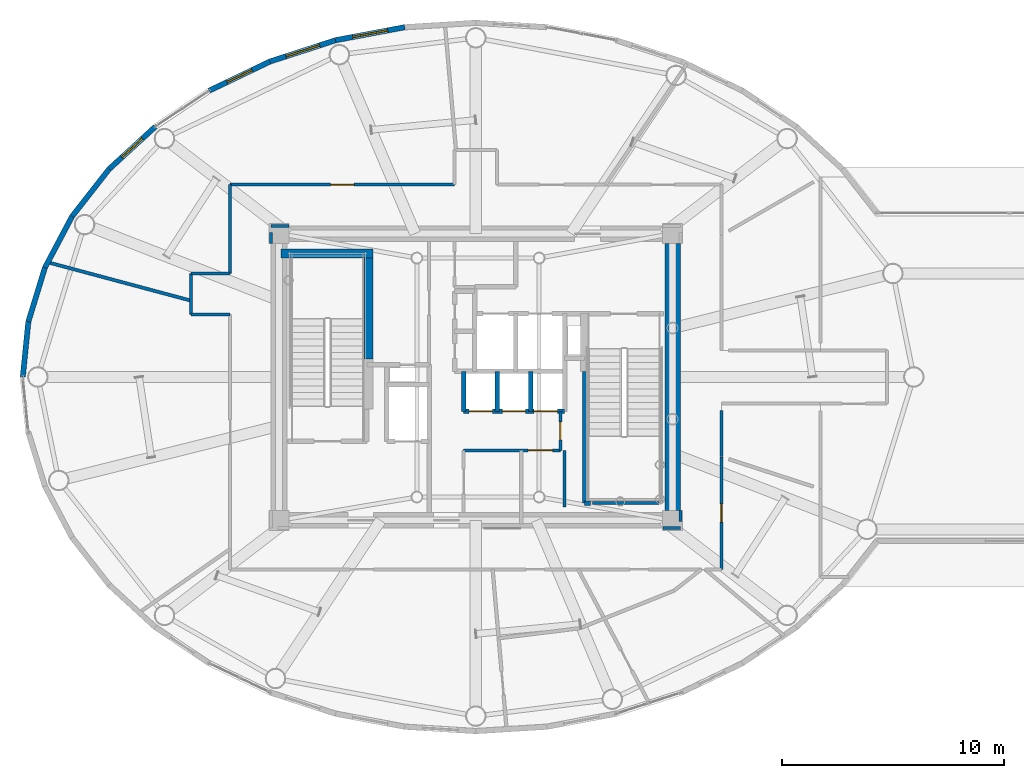
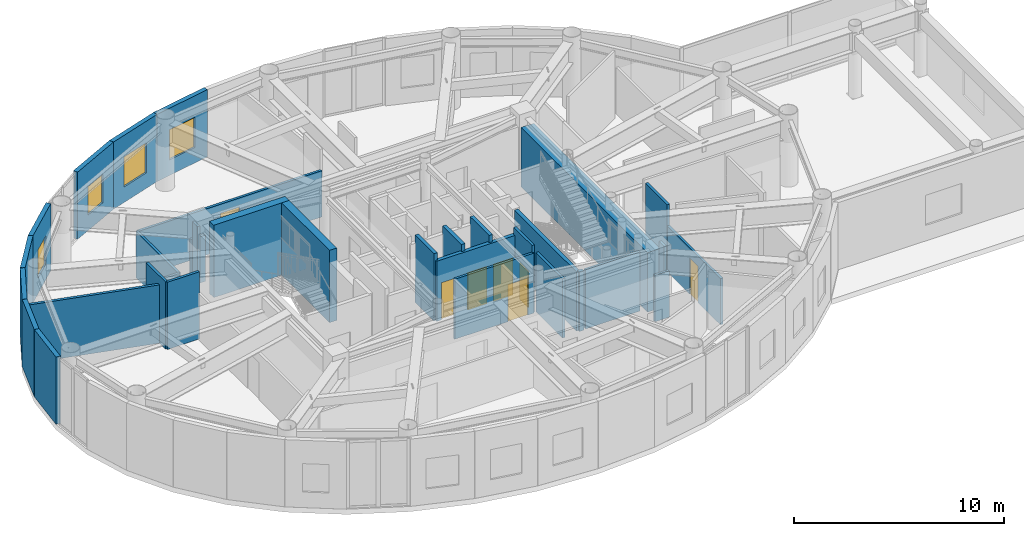
# One storey, part 17 of 26: 33 walls, 7 doors, 4 windows, 11 openings.
"""IFC4 building model written with IfcOpenShell, lengths in metres."""

import ifcopenshell
import ifcopenshell.guid

model = None  # the IFC model being written
_history = None  # IfcOwnerHistory: only IFC2X3 demands one
_inside = {}  # id of a spatial element -> (the spatial element, [elements in it])
_under = {}  # id of a project, library or spatial element -> (it, [spatial elements below it])
_declared = {}  # id of a project -> (the project, [libraries it declares])
_typed = {}  # id of a type object -> (the type object, [elements of that type])
_made_of = {}  # id of a material, layer set ... -> (it, [elements and type objects made of it])


def new_model(schema):
    """Start an empty IFC model of exactly this schema.

    Asked for "IFC4X3", IfcOpenShell would pick the latest addendum, in which some entities
    have other attributes; the version numbers below select the first issue.
    IFC2X3 requires an IfcOwnerHistory on every rooted entity: one is made here for all.
    """
    global model, _history
    if schema == "IFC4X3":
        model = ifcopenshell.file(schema_version=(4, 3, 0, 0))
    else:
        model = ifcopenshell.file(schema=schema)
    _inside.clear()
    _under.clear()
    _declared.clear()
    _typed.clear()
    _made_of.clear()
    _history = None
    if model.schema == "IFC2X3":
        org = make("IfcOrganization", Name="unknown")
        user = make(
            "IfcPersonAndOrganization",
            ThePerson=make("IfcPerson", FamilyName="unknown"),
            TheOrganization=org,
        )
        app = make(
            "IfcApplication",
            ApplicationDeveloper=org,
            Version="unknown",
            ApplicationFullName="unknown",
            ApplicationIdentifier="unknown",
        )
        _history = make(
            "IfcOwnerHistory",
            OwningUser=user,
            OwningApplication=app,
            ChangeAction="ADDED",
            CreationDate=0,
        )
    return model


def make(cls, **values):
    """One entity of the class cls with the attributes given. An attribute that is None is left unset."""
    return model.create_entity(
        cls, **{name: value for name, value in values.items() if value is not None}
    )


def rooted(cls, **values):
    """An entity with a GlobalId (a new one), such as an element, a storey or a relation."""
    return make(cls, GlobalId=ifcopenshell.guid.new(), OwnerHistory=_history, **values)


def si_unit(unit_type, name, prefix=None):
    """IfcSIUnit, for example si_unit("LENGTHUNIT", "METRE", prefix="MILLI")."""
    return make("IfcSIUnit", UnitType=unit_type, Prefix=prefix, Name=name)


def assignment(units):
    """IfcUnitAssignment: the units of a project."""
    return None if units is None else make("IfcUnitAssignment", Units=units)


def point(xyz):
    """IfcCartesianPoint."""
    return None if xyz is None else make("IfcCartesianPoint", Coordinates=xyz)


def direction(xyz):
    """IfcDirection."""
    return None if xyz is None else make("IfcDirection", DirectionRatios=xyz)


def frame(location, z_axis=None, x_axis=None):
    """IfcAxis2Placement3D, a coordinate frame: its origin and axes. An axis left out is left unset."""
    return make(
        "IfcAxis2Placement3D",
        Location=point(location),
        Axis=direction(z_axis),
        RefDirection=direction(x_axis),
    )


def frame_2d(location, x_axis=None):
    """IfcAxis2Placement2D, a coordinate frame in the plane: its origin and x axis."""
    return make(
        "IfcAxis2Placement2D", Location=point(location), RefDirection=direction(x_axis)
    )


def origin():
    """The frame at (0, 0, 0) with its axes left unset."""
    return frame((0.0, 0.0, 0.0))


def origin_2d():
    """The frame at (0, 0) in the plane with its x axis left unset."""
    return frame_2d((0.0, 0.0))


def place(relative_to, where):
    """IfcLocalPlacement: puts the frame where relative to a parent placement (None: the world)."""
    return make(
        "IfcLocalPlacement", PlacementRelTo=relative_to, RelativePlacement=where
    )


def context(
    kind, dimensions, precision=None, world=None, true_north=None, identifier=None
):
    """IfcGeometricRepresentationContext, for example the 3D "Model" context."""
    return make(
        "IfcGeometricRepresentationContext",
        ContextIdentifier=identifier,
        ContextType=kind,
        CoordinateSpaceDimension=dimensions,
        Precision=precision,
        WorldCoordinateSystem=world,
        TrueNorth=true_north,
    )


def subcontext(parent, identifier, kind, view, scale=None):
    """IfcGeometricRepresentationSubContext, for example "Body" below "Model"."""
    return make(
        "IfcGeometricRepresentationSubContext",
        ContextIdentifier=identifier,
        ContextType=kind,
        ParentContext=parent,
        TargetScale=scale,
        TargetView=view,
    )


def project(units=None, contexts=None):
    """IfcProject with its units and contexts."""
    return rooted(
        "IfcProject",
        Name="project",
        RepresentationContexts=contexts,
        UnitsInContext=assignment(units),
    )


def spatial(cls, under=None, at=None, **own):
    """A site, building, storey or space (cls), placed at a placement, below another one or the project."""
    s = rooted(cls, ObjectPlacement=at, **own)
    if under is not None:
        _under.setdefault(under.id(), (under, []))[1].append(s)
    return s


def profile(cls, at=None, kind="AREA", **sizes):
    """A parametric profile (cls). Its sizes go by their IFC names, for example OverallWidth=200.0."""
    return make(cls, ProfileType=kind, Position=at, **sizes)


def rectangle(**sizes):
    """IfcRectangleProfileDef."""
    return profile("IfcRectangleProfileDef", **sizes)


def extrude(swept, where, along, depth):
    """IfcExtrudedAreaSolid: the profile swept, set in the frame where, extruded along a direction by depth."""
    return make(
        "IfcExtrudedAreaSolid",
        SweptArea=swept,
        Position=where,
        ExtrudedDirection=direction(along),
        Depth=depth,
    )


def shape(context_of_items, identifier, shape_type, items):
    """IfcShapeRepresentation: the items that make up one representation, for example the "Body"."""
    return make(
        "IfcShapeRepresentation",
        ContextOfItems=context_of_items,
        RepresentationIdentifier=identifier,
        RepresentationType=shape_type,
        Items=items,
    )


def source(mapping_origin, context_of_items, identifier, shape_type, items):
    """IfcRepresentationMap: a shape defined once, which mapped items show again and again."""
    return make(
        "IfcRepresentationMap",
        MappingOrigin=mapping_origin,
        MappedRepresentation=shape(context_of_items, identifier, shape_type, items),
    )


def transform(
    local_origin,
    x_axis=None,
    y_axis=None,
    z_axis=None,
    scale=None,
    scale2=None,
    scale3=None,
    uniform=True,
):
    """IfcCartesianTransformationOperator3D, or its non-uniform kind. x_axis, y_axis, z_axis: its Axis1, 2, 3."""
    if uniform:
        return make(
            "IfcCartesianTransformationOperator3D",
            Axis1=direction(x_axis),
            Axis2=direction(y_axis),
            LocalOrigin=point(local_origin),
            Scale=scale,
            Axis3=direction(z_axis),
        )
    return make(
        "IfcCartesianTransformationOperator3DnonUniform",
        Axis1=direction(x_axis),
        Axis2=direction(y_axis),
        LocalOrigin=point(local_origin),
        Scale=scale,
        Axis3=direction(z_axis),
        Scale2=scale2,
        Scale3=scale3,
    )


def mapped(mapping_source, mapping_target):
    """IfcMappedItem: shows the shape of a source again, moved by a transform."""
    return make(
        "IfcMappedItem", MappingSource=mapping_source, MappingTarget=mapping_target
    )


def material(Name=None, Category=None):
    """IfcMaterial."""
    return make("IfcMaterial", Name=Name, Category=Category)


def layer(
    of_material, thickness, ventilated=None, Name=None, Category=None, Priority=None
):
    """IfcMaterialLayer: one layer of a wall or slab, of a material (None: an air gap)."""
    return make(
        "IfcMaterialLayer",
        Material=of_material,
        LayerThickness=thickness,
        IsVentilated=ventilated,
        Name=Name,
        Category=Category,
        Priority=Priority,
    )


def layer_set(layers, Name=None):
    """IfcMaterialLayerSet."""
    return make("IfcMaterialLayerSet", MaterialLayers=layers, LayerSetName=Name)


def made_of(thing, what):
    """Note that an element or type object is made of a material, layer set ...; save() writes the relation."""
    if what is not None:
        _made_of.setdefault(what.id(), (what, []))[1].append(thing)
    return thing


def type_object(cls, material=None, **own):
    """A type object (cls), such as IfcWallType, which elements share."""
    return made_of(rooted(cls, **own), material)


def element(
    cls,
    number,
    at=None,
    inside=None,
    cuts=None,
    type_object=None,
    material=None,
    context=None,
    identifier="Body",
    shape_type=None,
    held_by="IfcProductDefinitionShape",
    body=None,
    shapes=None,
    **own,
):
    """One element of the class cls, such as IfcWall. Its Tag is "e" and its number.

    at: its placement. inside: the storey or other place that contains it. cuts: it is an
    opening in that element (IfcRelVoidsElement). A single representation is given by context,
    identifier, shape_type and body (its items); several are given by shapes. held_by: the class
    of the entity that holds the representations. save() writes the other relations.
    """
    e = rooted(cls, Tag="e%d" % number, ObjectPlacement=at, **own)
    if body is not None:
        shapes = [shape(context, identifier, shape_type, body)]
    if shapes is not None:
        e.Representation = make(held_by, Representations=shapes)
    if inside is not None:
        _inside.setdefault(inside.id(), (inside, []))[1].append(e)
    if cuts is not None:
        rooted(
            "IfcRelVoidsElement", RelatingBuildingElement=cuts, RelatedOpeningElement=e
        )
    if type_object is not None:
        _typed.setdefault(type_object.id(), (type_object, []))[1].append(e)
    return made_of(e, material)


def fill(opening, filler):
    """IfcRelFillsElement: the door or window that sits in an opening."""
    return rooted(
        "IfcRelFillsElement",
        RelatingOpeningElement=opening,
        RelatedBuildingElement=filler,
    )


def aggregate(whole, parts):
    """IfcRelAggregates: a whole, such as a stair, and the parts it consists of."""
    return rooted("IfcRelAggregates", RelatingObject=whole, RelatedObjects=parts)


def save(model, path):
    """Write the relations noted so far, then the file.

    IfcRelAggregates (storeys below a building ...), IfcRelContainedInSpatialStructure (elements
    in a storey), IfcRelDefinesByType, IfcRelAssociatesMaterial and IfcRelDeclares: one each for
    every whole, place, type object, material and project.
    """
    for whole, parts in _under.values():
        aggregate(whole, parts)
    for where, things in _inside.values():
        rooted(
            "IfcRelContainedInSpatialStructure",
            RelatedElements=things,
            RelatingStructure=where,
        )
    for kind, things in _typed.values():
        rooted("IfcRelDefinesByType", RelatedObjects=things, RelatingType=kind)
    for what, things in _made_of.values():
        rooted("IfcRelAssociatesMaterial", RelatedObjects=things, RelatingMaterial=what)
    for by, libraries in _declared.values():
        rooted("IfcRelDeclares", RelatingContext=by, RelatedDefinitions=libraries)
    model.write(path)


model = new_model("IFC4")

# Units and contexts
model_context = context("Model", 3, precision=1e-05, world=origin(), true_north=direction((0.0, 1.0)))
body_context = subcontext(model_context, "Body", "Model", "MODEL_VIEW")
ifc_project = project(units=[si_unit("LENGTHUNIT", "METRE"), si_unit("AREAUNIT", "SQUARE_METRE"), si_unit("VOLUMEUNIT", "CUBIC_METRE"), si_unit("PLANEANGLEUNIT", "RADIAN"), si_unit("MASSUNIT", "GRAM", prefix="KILO")], contexts=[model_context])

# Site, building, storey
site_placement = place(None, origin())
site = spatial("IfcSite", under=ifc_project, at=site_placement, CompositionType="ELEMENT")
building_placement = place(site_placement, origin())
building = spatial("IfcBuilding", under=site, at=building_placement, Name="Linh Dai School and Residence Tower", CompositionType="ELEMENT")
storey_placement = place(building_placement, frame((0.0, 0.0, 346.800048828125)))
storey = spatial("IfcBuildingStorey", under=building, at=storey_placement, Name="L86", CompositionType="ELEMENT", Elevation=346.800048828125)

# Wall, opening, window
ifc_material_1 = material(Name="Precast Concrete B45 (C35/45)", Category="concrete")
ifc_layer_1 = layer(ifc_material_1, 0.239990234375)
ifc_layer_set_1 = layer_set([ifc_layer_1], Name="Precast Concrete B45 (C35/45)")
wall_type_1 = type_object("IfcWallType", Name="EW-TC-240", PredefinedType="SOLIDWALL", material=ifc_layer_set_1)
wall_1_placement = place(storey_placement, frame((29.696044921875, 42.14794921875, 0.0), z_axis=(0.0, 0.0, 1.0), x_axis=(0.98276643264, 0.184851667226, 0.0)))
wall_1 = element("IfcWall", 1, at=wall_1_placement, inside=storey, type_object=wall_type_1, Name="L86 Terracotta Exterior Wall 12", PredefinedType="SOLIDWALL", context=body_context, shape_type="SweptSolid", body=[
    extrude(rectangle(XDim=3.167236328125, YDim=0.239990234375, at=frame_2d((1.58349609375, 0.0))), origin(), (0.0, 0.0, 1.0), 3.89990234375),
])
opening_1_placement = place(wall_1_placement, frame((0.78369140625, 0.0, 0.89990234375)))
opening_1 = element("IfcOpeningElement", 2, at=opening_1_placement, cuts=wall_1, Name="Opening W2", PredefinedType="OPENING", context=body_context, shape_type="SweptSolid", body=[
    extrude(rectangle(XDim=1.60009765625, YDim=1.75, at=origin_2d()), frame((0.800048828125, 0.1298828125, 0.875), z_axis=(0.0, -1.0, 0.0), x_axis=(1.0, 0.0, 0.0)), (0.0, 0.0, 1.0), 0.260009765625),
])
ifc_material_2 = material(Name="Double Low-E Insulated Glazing", Category="glass")
window_type_1 = type_object("IfcWindowType", Name="WN-RES-1600x1750", PartitioningType="DOUBLE_PANEL_VERTICAL", PredefinedType="WINDOW", material=ifc_material_2)
shared_shape_1 = source(origin(), body_context, "Body", "SweptSolid", [
    extrude(rectangle(XDim=1.60009765625, YDim=1.75, at=origin_2d()), frame((0.800048828125, 0.030029296875, 0.875), z_axis=(0.0, -1.0, 0.0), x_axis=(1.0, 0.0, 0.0)), (0.0, 0.0, 1.0), 0.06005859375),
])
window_1_placement = place(opening_1_placement, origin())
window_1 = element("IfcWindow", 3, at=window_1_placement, inside=storey, type_object=window_type_1, Name="L86 Exterior Window 12.1", OverallHeight=1.75, OverallWidth=1.60009765625, PartitioningType="DOUBLE_PANEL_VERTICAL", PredefinedType="WINDOW", context=body_context, shape_type="MappedRepresentation", body=[
    mapped(shared_shape_1, transform((0.0, 0.0, 0.0), x_axis=(1.0, 0.0, 0.0), y_axis=(0.0, 1.0, 0.0), z_axis=(0.0, 0.0, 1.0), scale=1.0)),
])
fill(opening_1, window_1)

wall_2_placement = place(storey_placement, frame((26.739501953125, 41.18896484375, 0.0), z_axis=(0.0, 0.0, 1.0), x_axis=(0.951212850731, 0.308535431682, 0.0)))
wall_2 = element("IfcWall", 4, at=wall_2_placement, inside=storey, type_object=wall_type_1, Name="L86 Terracotta Exterior Wall 13", PredefinedType="SOLIDWALL", context=body_context, shape_type="SweptSolid", body=[
    extrude(rectangle(XDim=3.108154296875, YDim=0.239990234375, at=frame_2d((1.55419921875, 0.0))), origin(), (0.0, 0.0, 1.0), 3.89990234375),
])
opening_2_placement = place(wall_2_placement, frame((0.754150390625, 0.0, 0.89990234375)))
opening_2 = element("IfcOpeningElement", 5, at=opening_2_placement, cuts=wall_2, Name="Opening W2", PredefinedType="OPENING", context=body_context, shape_type="SweptSolid", body=[
    extrude(rectangle(XDim=1.60009765625, YDim=1.75, at=origin_2d()), frame((0.800048828125, 0.1298828125, 0.875), z_axis=(0.0, -1.0, 0.0), x_axis=(1.0, 0.0, 0.0)), (0.0, 0.0, 1.0), 0.260009765625),
])
window_2_placement = place(opening_2_placement, origin())
window_2 = element("IfcWindow", 6, at=window_2_placement, inside=storey, type_object=window_type_1, Name="L86 Exterior Window 13.1", OverallHeight=1.75, OverallWidth=1.60009765625, PartitioningType="DOUBLE_PANEL_VERTICAL", PredefinedType="WINDOW", context=body_context, shape_type="MappedRepresentation", body=[
    mapped(shared_shape_1, transform((0.0, 0.0, 0.0), x_axis=(1.0, 0.0, 0.0), y_axis=(0.0, 1.0, 0.0), z_axis=(0.0, 0.0, 1.0), scale=1.0)),
])
fill(opening_2, window_2)

wall_3_placement = place(storey_placement, frame((24.01220703125, 39.880126953125, 0.0), z_axis=(0.0, 0.0, 1.0), x_axis=(0.901557057889, 0.432660226241, 0.0)))
wall_3 = element("IfcWall", 7, at=wall_3_placement, inside=storey, type_object=wall_type_1, Name="L86 Terracotta Exterior Wall 14", PredefinedType="SOLIDWALL", context=body_context, shape_type="SweptSolid", body=[
    extrude(rectangle(XDim=3.025146484375, YDim=0.239990234375, at=frame_2d((1.5126953125, 0.0))), origin(), (0.0, 0.0, 1.0), 3.89990234375),
])
opening_3_placement = place(wall_3_placement, frame((0.8876953125, 0.0, 0.89990234375)))
opening_3 = element("IfcOpeningElement", 8, at=opening_3_placement, cuts=wall_3, Name="Opening W3", PredefinedType="OPENING", context=body_context, shape_type="SweptSolid", body=[
    extrude(rectangle(XDim=1.25, YDim=1.64990234375, at=origin_2d()), frame((0.625, 0.1298828125, 0.824951171875), z_axis=(0.0, -1.0, 0.0), x_axis=(1.0, 0.0, 0.0)), (0.0, 0.0, 1.0), 0.260009765625),
])
window_type_2 = type_object("IfcWindowType", Name="WN-RES-1250x1650", PartitioningType="SINGLE_PANEL", PredefinedType="WINDOW", material=ifc_material_2)
shared_shape_2 = source(origin(), body_context, "Body", "SweptSolid", [
    extrude(rectangle(XDim=1.25, YDim=1.64990234375, at=origin_2d()), frame((0.625, 0.030029296875, 0.824951171875), z_axis=(0.0, -1.0, 0.0), x_axis=(1.0, 0.0, 0.0)), (0.0, 0.0, 1.0), 0.06005859375),
])
window_3_placement = place(opening_3_placement, origin())
window_3 = element("IfcWindow", 9, at=window_3_placement, inside=storey, type_object=window_type_2, Name="L86 Exterior Window 14.1", OverallHeight=1.64990234375, OverallWidth=1.25, PartitioningType="SINGLE_PANEL", PredefinedType="WINDOW", context=body_context, shape_type="MappedRepresentation", body=[
    mapped(shared_shape_2, transform((0.0, 0.0, 0.0), x_axis=(1.0, 0.0, 0.0), y_axis=(0.0, 1.0, 0.0), z_axis=(0.0, 0.0, 1.0), scale=1.0)),
])
fill(opening_3, window_3)

wall_4_placement = place(storey_placement, frame((19.5068359375, 36.351806640625, 0.0), z_axis=(0.0, 0.0, 1.0), x_axis=(0.737020907932, 0.675869944051, 0.0)))
wall_4 = element("IfcWall", 10, at=wall_4_placement, inside=storey, type_object=wall_type_1, Name="L86 Terracotta Exterior Wall 16", PredefinedType="SOLIDWALL", context=body_context, shape_type="SweptSolid", body=[
    extrude(rectangle(XDim=2.814697265625, YDim=0.239990234375, at=frame_2d((1.4072265625, 0.0))), origin(), (0.0, 0.0, 1.0), 3.89990234375),
])
opening_4_placement = place(wall_4_placement, frame((0.78271484375, 0.0, 0.89990234375)))
opening_4 = element("IfcOpeningElement", 11, at=opening_4_placement, cuts=wall_4, Name="Opening W3", PredefinedType="OPENING", context=body_context, shape_type="SweptSolid", body=[
    extrude(rectangle(XDim=1.25, YDim=1.64990234375, at=origin_2d()), frame((0.625, 0.1298828125, 0.824951171875), z_axis=(0.0, -1.0, 0.0), x_axis=(1.0, 0.0, 0.0)), (0.0, 0.0, 1.0), 0.260009765625),
])
window_4_placement = place(opening_4_placement, origin())
window_4 = element("IfcWindow", 12, at=window_4_placement, inside=storey, type_object=window_type_2, Name="L86 Exterior Window 16.1", OverallHeight=1.64990234375, OverallWidth=1.25, PartitioningType="SINGLE_PANEL", PredefinedType="WINDOW", context=body_context, shape_type="MappedRepresentation", body=[
    mapped(shared_shape_2, transform((0.0, 0.0, 0.0), x_axis=(1.0, 0.0, 0.0), y_axis=(0.0, 1.0, 0.0), z_axis=(0.0, 0.0, 1.0), scale=1.0)),
])
fill(opening_4, window_4)

# Walls
wall_5_placement = place(storey_placement, frame((17.839111328125, 34.220703125, 0.0), z_axis=(0.0, 0.0, 1.0), x_axis=(0.616286367698, 0.78752213492, 0.0)))
element("IfcWall", 13, at=wall_5_placement, inside=storey, type_object=wall_type_1, Name="L86 Terracotta Exterior Wall 17", PredefinedType="SOLIDWALL", context=body_context, shape_type="SweptSolid", body=[
    extrude(rectangle(XDim=2.7060546875, YDim=0.239990234375, at=frame_2d((1.35302734375, 0.0))), origin(), (0.0, 0.0, 1.0), 3.89990234375),
])
wall_6_placement = place(storey_placement, frame((16.618896484375, 31.913330078125, 0.0), z_axis=(0.0, 0.0, 1.0), x_axis=(0.467487999989, 0.883999417345, 0.0)))
element("IfcWall", 14, at=wall_6_placement, inside=storey, type_object=wall_type_1, Name="L86 Terracotta Exterior Wall 18", PredefinedType="SOLIDWALL", context=body_context, shape_type="SweptSolid", body=[
    extrude(rectangle(XDim=2.610107421875, YDim=0.239990234375, at=frame_2d((1.30517578125, 0.0))), origin(), (0.0, 0.0, 1.0), 3.89990234375),
])
wall_7_placement = place(storey_placement, frame((15.875, 29.48681640625, 0.0), z_axis=(0.0, 0.0, 1.0), x_axis=(0.293105547213, 0.956080089842, 0.0)))
element("IfcWall", 15, at=wall_7_placement, inside=storey, type_object=wall_type_1, Name="L86 Terracotta Exterior Wall 19", PredefinedType="SOLIDWALL", context=body_context, shape_type="SweptSolid", body=[
    extrude(rectangle(XDim=2.5380859375, YDim=0.239990234375, at=frame_2d((1.26904296875, 0.0))), origin(), (0.0, 0.0, 1.0), 3.89990234375),
])
wall_8_placement = place(storey_placement, frame((15.625, 27.0, 0.0), z_axis=(0.0, 0.0, 1.0), x_axis=(0.100025963401, 0.994984827344, 0.0)))
element("IfcWall", 16, at=wall_8_placement, inside=storey, type_object=wall_type_1, Name="L86 Terracotta Exterior Wall 20", PredefinedType="SOLIDWALL", context=body_context, shape_type="SweptSolid", body=[
    extrude(rectangle(XDim=2.499267578125, YDim=0.239990234375, at=frame_2d((1.24951171875, 0.0))), origin(), (0.0, 0.0, 1.0), 3.89990234375),
])
ifc_material_3 = material(Name="Autoclaved Aerated Concrete Blockwork", Category="masonry")
ifc_layer_2 = layer(ifc_material_3, 0.135009765625)
ifc_layer_set_2 = layer_set([ifc_layer_2], Name="Autoclaved Aerated Concrete Blockwork")
wall_type_2 = type_object("IfcWallType", Name="IW-CORR-135-EI90", PredefinedType="PARTITIONING", material=ifc_layer_set_2)
wall_9_placement = place(storey_placement, frame((23.199951171875, 29.800048828125, 0.0), z_axis=(0.0, 0.0, 1.0), x_axis=(0.0, 1.0, 0.0)))
element("IfcWall", 17, at=wall_9_placement, inside=storey, type_object=wall_type_2, Name="L86 Interior Partition Wall 003", PredefinedType="PARTITIONING", context=body_context, shape_type="SweptSolid", body=[
    extrude(rectangle(XDim=1.849853515625, YDim=0.135009765625, at=frame_2d((0.9248046875, 0.0))), origin(), (0.0, 0.0, 1.0), 3.89990234375),
])
wall_10_placement = place(storey_placement, frame((23.199951171875, 29.800048828125, 0.0), z_axis=(0.0, 0.0, 1.0), x_axis=(1.0, 0.0, 0.0)))
element("IfcWall", 18, at=wall_10_placement, inside=storey, type_object=wall_type_2, Name="L86 Interior Partition Wall 004", PredefinedType="PARTITIONING", context=body_context, shape_type="SweptSolid", body=[
    extrude(rectangle(XDim=1.75, YDim=0.135009765625, at=frame_2d((0.875, 0.0))), origin(), (0.0, 0.0, 1.0), 3.89990234375),
])
wall_11_placement = place(storey_placement, frame((23.199951171875, 31.64990234375, 0.0), z_axis=(0.0, 0.0, 1.0), x_axis=(1.0, 0.0, 0.0)))
element("IfcWall", 19, at=wall_11_placement, inside=storey, type_object=wall_type_2, Name="L86 Interior Partition Wall 005", PredefinedType="PARTITIONING", context=body_context, shape_type="SweptSolid", body=[
    extrude(rectangle(XDim=1.75, YDim=0.135009765625, at=frame_2d((0.875, 0.0))), origin(), (0.0, 0.0, 1.0), 2.68505859375),
])
wall_12_placement = place(storey_placement, frame((24.949951171875, 31.64990234375, 0.0), z_axis=(0.0, 0.0, 1.0), x_axis=(0.0, 1.0, 0.0)))
element("IfcWall", 20, at=wall_12_placement, inside=storey, type_object=wall_type_2, Name="L86 Interior Partition Wall 008", PredefinedType="PARTITIONING", context=body_context, shape_type="SweptSolid", body=[
    extrude(rectangle(XDim=4.0, YDim=0.135009765625, at=frame_2d((2.0, 0.0))), origin(), (0.0, 0.0, 1.0), 2.68505859375),
])

# Wall, opening, door
wall_13_placement = place(storey_placement, frame((24.949951171875, 35.64990234375, 0.0), z_axis=(0.0, 0.0, 1.0), x_axis=(1.0, 0.0, 0.0)))
wall_13 = element("IfcWall", 21, at=wall_13_placement, inside=storey, type_object=wall_type_2, Name="L86 Interior Partition Wall 009", PredefinedType="PARTITIONING", context=body_context, shape_type="SweptSolid", body=[
    extrude(rectangle(XDim=10.10009765625, YDim=0.135009765625, at=frame_2d((5.050048828125, 0.0))), origin(), (0.0, 0.0, 1.0), 2.68505859375),
])
opening_5_placement = place(wall_13_placement, frame((4.52490234375, 0.0, 0.0)))
opening_5 = element("IfcOpeningElement", 22, at=opening_5_placement, cuts=wall_13, Name="Opening D04", PredefinedType="OPENING", context=body_context, shape_type="SweptSolid", body=[
    extrude(rectangle(XDim=1.050048828125, YDim=2.14990234375, at=origin_2d()), frame((0.52490234375, 0.07763671875, 1.074951171875), z_axis=(0.0, -1.0, 0.0), x_axis=(1.0, 0.0, 0.0)), (0.0, 0.0, 1.0), 0.155029296875),
])
ifc_material_4 = material(Name="Acoustic Vision-Panel Timber Classroom Door", Category="wood")
door_type_1 = type_object("IfcDoorType", Name="DR-SCH-1050x2150-FD60S", OperationType="NOTDEFINED", PredefinedType="DOOR", material=ifc_material_4)
shared_shape_3 = source(origin(), body_context, "Body", "SweptSolid", [
    extrude(rectangle(XDim=1.050048828125, YDim=2.14990234375, at=origin_2d()), frame((0.52490234375, 0.02490234375, 1.074951171875), z_axis=(0.0, -1.0, 0.0), x_axis=(1.0, 0.0, 0.0)), (0.0, 0.0, 1.0), 0.050048828125),
])
door_1_placement = place(opening_5_placement, origin())
door_1 = element("IfcDoor", 23, at=door_1_placement, inside=storey, type_object=door_type_1, Name="L86 North Panorama Private Dining Salon Door", OperationType="SINGLE_SWING_RIGHT", OverallHeight=2.14990234375, OverallWidth=1.050048828125, PredefinedType="DOOR", context=body_context, shape_type="MappedRepresentation", body=[
    mapped(shared_shape_3, transform((0.0, 0.0, 0.0), x_axis=(1.0, 0.0, 0.0), y_axis=(0.0, 1.0, 0.0), z_axis=(0.0, 0.0, 1.0), scale=1.0)),
])
fill(opening_5, door_1)

wall_14_placement = place(storey_placement, frame((35.449951171875, 23.699951171875, 0.0), z_axis=(0.0, 0.0, 1.0), x_axis=(1.0, 0.0, 0.0)))
wall_14 = element("IfcWall", 24, at=wall_14_placement, inside=storey, type_object=wall_type_2, Name="L86 Interior Partition Wall 028", PredefinedType="PARTITIONING", context=body_context, shape_type="SweptSolid", body=[
    extrude(rectangle(XDim=4.35009765625, YDim=0.135009765625, at=frame_2d((2.175048828125, 0.0))), origin(), (0.0, 0.0, 1.0), 3.48486328125),
])
opening_6_placement = place(wall_14_placement, frame((2.905029296875, 0.0, 0.0)))
opening_6 = element("IfcOpeningElement", 25, at=opening_6_placement, cuts=wall_14, Name="Opening D07", PredefinedType="OPENING", context=body_context, shape_type="SweptSolid", body=[
    extrude(rectangle(XDim=1.10009765625, YDim=2.14990234375, at=origin_2d()), frame((0.550048828125, 0.07763671875, 1.074951171875), z_axis=(0.0, -1.0, 0.0), x_axis=(1.0, 0.0, 0.0)), (0.0, 0.0, 1.0), 0.155029296875),
])
ifc_material_5 = material(Name="Fire-Rated Louvred Steel Plant Door", Category="steel")
door_type_2 = type_object("IfcDoorType", Name="DR-PLT-1100x2150-FD60S", OperationType="NOTDEFINED", PredefinedType="DOOR", material=ifc_material_5)
shared_shape_4 = source(origin(), body_context, "Body", "SweptSolid", [
    extrude(rectangle(XDim=1.10009765625, YDim=2.14990234375, at=origin_2d()), frame((0.550048828125, 0.02490234375, 1.074951171875), z_axis=(0.0, -1.0, 0.0), x_axis=(1.0, 0.0, 0.0)), (0.0, 0.0, 1.0), 0.050048828125),
])
door_2_placement = place(opening_6_placement, origin())
door_2 = element("IfcDoor", 26, at=door_2_placement, inside=storey, type_object=door_type_2, Name="L86 Telecom Node Room Door", OperationType="SINGLE_SWING_LEFT", OverallHeight=2.14990234375, OverallWidth=1.10009765625, PredefinedType="DOOR", context=body_context, shape_type="MappedRepresentation", body=[
    mapped(shared_shape_4, transform((0.0, 0.0, 0.0), x_axis=(1.0, 0.0, 0.0), y_axis=(0.0, 1.0, 0.0), z_axis=(0.0, 0.0, 1.0), scale=1.0)),
])
fill(opening_6, door_2)

wall_15_placement = place(storey_placement, frame((39.800048828125, 23.699951171875, 0.0), z_axis=(0.0, 0.0, 1.0), x_axis=(0.0, 1.0, 0.0)))
wall_15 = element("IfcWall", 27, at=wall_15_placement, inside=storey, type_object=wall_type_2, Name="L86 Interior Partition Wall 043", PredefinedType="PARTITIONING", context=body_context, shape_type="SweptSolid", body=[
    extrude(rectangle(XDim=1.75, YDim=0.135009765625, at=frame_2d((0.875, 0.0))), origin(), (0.0, 0.0, 1.0), 3.89990234375),
])
opening_7_placement = place(wall_15_placement, frame((0.465087890625, 0.0, 0.0)))
opening_7 = element("IfcOpeningElement", 28, at=opening_7_placement, cuts=wall_15, Name="Opening D06", PredefinedType="OPENING", context=body_context, shape_type="SweptSolid", body=[
    extrude(rectangle(XDim=0.820068359375, YDim=2.10009765625, at=origin_2d()), frame((0.41015625, 0.07763671875, 1.050048828125), z_axis=(0.0, -1.0, 0.0), x_axis=(1.0, 0.0, 0.0)), (0.0, 0.0, 1.0), 0.155029296875),
])
ifc_material_6 = material(Name="Moisture-Resistant Timber Bathroom Door", Category="wood")
door_type_3 = type_object("IfcDoorType", Name="DR-WET-820x2100", OperationType="NOTDEFINED", PredefinedType="DOOR", material=ifc_material_6)
shared_shape_5 = source(origin(), body_context, "Body", "SweptSolid", [
    extrude(rectangle(XDim=0.820068359375, YDim=2.10009765625, at=origin_2d()), frame((0.41015625, 0.02490234375, 1.050048828125), z_axis=(0.0, -1.0, 0.0), x_axis=(1.0, 0.0, 0.0)), (0.0, 0.0, 1.0), 0.050048828125),
])
door_3_placement = place(opening_7_placement, origin())
door_3 = element("IfcDoor", 29, at=door_3_placement, inside=storey, type_object=door_type_3, Name="L86 East Linen Store Door", OperationType="SINGLE_SWING_RIGHT", OverallHeight=2.10009765625, OverallWidth=0.820068359375, PredefinedType="DOOR", context=body_context, shape_type="MappedRepresentation", body=[
    mapped(shared_shape_5, transform((0.0, 0.0, 0.0), x_axis=(1.0, 0.0, 0.0), y_axis=(0.0, 1.0, 0.0), z_axis=(0.0, 0.0, 1.0), scale=1.0)),
])
fill(opening_7, door_3)

wall_16_placement = place(storey_placement, frame((47.050048828125, 18.35009765625, 0.0), z_axis=(0.0, 0.0, 1.0), x_axis=(0.0, 1.0, 0.0)))
wall_16 = element("IfcWall", 30, at=wall_16_placement, inside=storey, type_object=wall_type_2, Name="L86 Interior Partition Wall 054", PredefinedType="PARTITIONING", context=body_context, shape_type="SweptSolid", body=[
    extrude(rectangle(XDim=5.0595703125, YDim=0.135009765625, at=frame_2d((2.52978515625, 0.0))), origin(), (0.0, 0.0, 1.0), 2.68505859375),
])
opening_8_placement = place(wall_16_placement, frame((2.119873046875, 0.0, 0.0)))
opening_8 = element("IfcOpeningElement", 31, at=opening_8_placement, cuts=wall_16, Name="Opening D06", PredefinedType="OPENING", context=body_context, shape_type="SweptSolid", body=[
    extrude(rectangle(XDim=0.820068359375, YDim=2.10009765625, at=origin_2d()), frame((0.41015625, 0.07763671875, 1.050048828125), z_axis=(0.0, -1.0, 0.0), x_axis=(1.0, 0.0, 0.0)), (0.0, 0.0, 1.0), 0.155029296875),
])
door_4_placement = place(opening_8_placement, origin())
door_4 = element("IfcDoor", 32, at=door_4_placement, inside=storey, type_object=door_type_3, Name="L86 Sky Restaurant Accessible WC Door", OperationType="SINGLE_SWING_LEFT", OverallHeight=2.10009765625, OverallWidth=0.820068359375, PredefinedType="DOOR", context=body_context, shape_type="MappedRepresentation", body=[
    mapped(shared_shape_5, transform((0.0, 0.0, 0.0), x_axis=(1.0, 0.0, 0.0), y_axis=(0.0, 1.0, 0.0), z_axis=(0.0, 0.0, 1.0), scale=1.0)),
])
fill(opening_8, door_4)

# Walls
wall_17_placement = place(storey_placement, frame((44.239990234375, 21.330078125, 0.0), z_axis=(0.0, 0.0, 1.0), x_axis=(-1.0, 0.0, 0.0)))
element("IfcWall", 33, at=wall_17_placement, inside=storey, type_object=wall_type_2, Name="L86 Interior Partition Wall 061", PredefinedType="PARTITIONING", context=body_context, shape_type="SweptSolid", body=[
    extrude(rectangle(XDim=2.97998046875, YDim=0.135009765625, at=frame_2d((1.489990234375, 0.0))), origin(), (0.0, 0.0, 1.0), 3.43505859375),
])
wall_18_placement = place(storey_placement, frame((40.0, 23.699951171875, 0.0), z_axis=(0.0, 0.0, 1.0), x_axis=(0.0, -1.0, 0.0)))
element("IfcWall", 34, at=wall_18_placement, inside=storey, type_object=wall_type_2, Name="L86 Interior Partition Wall 062", PredefinedType="PARTITIONING", context=body_context, shape_type="SweptSolid", body=[
    extrude(rectangle(XDim=2.5400390625, YDim=0.135009765625, at=frame_2d((1.27001953125, 0.0))), origin(), (0.0, 0.0, 1.0), 3.43505859375),
])
wall_19_placement = place(storey_placement, frame((47.050048828125, 25.492431640625, 0.0), z_axis=(0.0, 0.0, 1.0), x_axis=(0.0, -1.0, 0.0)))
element("IfcWall", 35, at=wall_19_placement, inside=storey, type_object=wall_type_2, Name="L86 Interior Partition Wall 066", PredefinedType="PARTITIONING", context=body_context, shape_type="SweptSolid", body=[
    extrude(rectangle(XDim=2.07275390625, YDim=0.135009765625, at=frame_2d((1.036376953125, 0.0))), origin(), (0.0, 0.0, 1.0), 3.89990234375),
])
wall_20_placement = place(storey_placement, frame((27.590087890625, 33.800048828125, 0.0), z_axis=(0.0, 0.0, 1.0), x_axis=(-1.0, 0.0, 0.0)))
element("IfcWall", 36, at=wall_20_placement, inside=storey, type_object=wall_type_2, Name="L86 Interior Partition Wall 068", PredefinedType="PARTITIONING", context=body_context, shape_type="SweptSolid", body=[
    extrude(rectangle(XDim=0.7900390625, YDim=0.135009765625, at=frame_2d((0.39501953125, 0.0))), origin(), (0.0, 0.0, 1.0), 2.68505859375),
])
wall_21_placement = place(storey_placement, frame((26.800048828125, 33.492431640625, 0.0), z_axis=(0.0, 0.0, 1.0), x_axis=(0.0, -1.0, 0.0)))
element("IfcWall", 37, at=wall_21_placement, inside=storey, type_object=wall_type_2, Name="L86 Interior Partition Wall 069", PredefinedType="PARTITIONING", context=body_context, shape_type="SweptSolid", body=[
    extrude(rectangle(XDim=0.482421875, YDim=0.135009765625, at=frame_2d((0.2412109375, 0.0))), origin(), (0.0, 0.0, 1.0), 3.89990234375),
])
wall_22_placement = place(storey_placement, frame((44.409912109375, 20.199951171875, 0.0), z_axis=(0.0, 0.0, 1.0), x_axis=(1.0, 0.0, 0.0)))
element("IfcWall", 38, at=wall_22_placement, inside=storey, type_object=wall_type_2, Name="L86 Interior Partition Wall 072", PredefinedType="PARTITIONING", context=body_context, shape_type="SweptSolid", body=[
    extrude(rectangle(XDim=0.7900390625, YDim=0.135009765625, at=frame_2d((0.39501953125, 0.0))), origin(), (0.0, 0.0, 1.0), 2.68505859375),
])
wall_23_placement = place(storey_placement, frame((45.199951171875, 20.507568359375, 0.0), z_axis=(0.0, 0.0, 1.0), x_axis=(0.0, 1.0, 0.0)))
element("IfcWall", 39, at=wall_23_placement, inside=storey, type_object=wall_type_2, Name="L86 Interior Partition Wall 073", PredefinedType="PARTITIONING", context=body_context, shape_type="SweptSolid", body=[
    extrude(rectangle(XDim=0.482421875, YDim=0.135009765625, at=frame_2d((0.2412109375, 0.0))), origin(), (0.0, 0.0, 1.0), 3.89990234375),
])
ifc_layer_3 = layer(ifc_material_3, 0.14990234375)
ifc_layer_set_3 = layer_set([ifc_layer_3], Name="Autoclaved Aerated Concrete Blockwork")
wall_type_3 = type_object("IfcWallType", Name="IW-SCH-150-EI60", PredefinedType="PARTITIONING", material=ifc_layer_set_3)
wall_24_placement = place(storey_placement, frame((16.743408203125, 32.15966796875, 0.0), z_axis=(0.0, 0.0, 1.0), x_axis=(0.965927509529, -0.258812763084, 0.0)))
element("IfcWall", 40, at=wall_24_placement, inside=storey, type_object=wall_type_3, Name="L86 Interior Partition Wall 001", PredefinedType="PARTITIONING", context=body_context, shape_type="SweptSolid", body=[
    extrude(rectangle(XDim=6.684326171875, YDim=0.14990234375, at=frame_2d((3.34228515625, 0.0))), origin(), (0.0, 0.0, 1.0), 3.385009765625),
])
ifc_material_7 = material(Name="Concrete B45 (C35/45)", Category="concrete")
ifc_layer_4 = layer(ifc_material_7, 0.199951171875)
ifc_layer_set_4 = layer_set([ifc_layer_4], Name="Concrete B45 (C35/45)")
wall_type_4 = type_object("IfcWallType", Name="IW-SHAFT-200-EI120", PredefinedType="PARTITIONING", material=ifc_layer_set_4)
wall_25_placement = place(storey_placement, frame((35.449951171875, 25.449951171875, 0.0), z_axis=(0.0, 0.0, 1.0), x_axis=(0.0, 1.0, 0.0)))
element("IfcWall", 41, at=wall_25_placement, inside=storey, type_object=wall_type_4, Name="L86 Interior Partition Wall 029", PredefinedType="PARTITIONING", context=body_context, shape_type="SweptSolid", body=[
    extrude(rectangle(XDim=1.800048828125, YDim=0.199951171875, at=frame_2d((0.89990234375, 0.0))), origin(), (0.0, 0.0, 1.0), 3.89990234375),
])

# Wall, openings, doors
wall_26_placement = place(storey_placement, frame((35.449951171875, 25.449951171875, 0.0), z_axis=(0.0, 0.0, 1.0), x_axis=(1.0, 0.0, 0.0)))
wall_26 = element("IfcWall", 42, at=wall_26_placement, inside=storey, type_object=wall_type_4, Name="L86 Interior Partition Wall 030", PredefinedType="PARTITIONING", context=body_context, shape_type="SweptSolid", body=[
    extrude(rectangle(XDim=4.550048828125, YDim=0.199951171875, at=frame_2d((2.27490234375, 0.0))), origin(), (0.0, 0.0, 1.0), 3.48486328125),
])
opening_9_placement = place(wall_26_placement, frame((0.25, 0.0, 0.0)))
opening_9 = element("IfcOpeningElement", 43, at=opening_9_placement, cuts=wall_26, Name="Opening LD-PL7", PredefinedType="OPENING", context=body_context, shape_type="SweptSolid", body=[
    extrude(rectangle(XDim=1.050048828125, YDim=2.14990234375, at=origin_2d()), frame((0.52490234375, 0.10986328125, 1.074951171875), z_axis=(0.0, -1.0, 0.0), x_axis=(1.0, 0.0, 0.0)), (0.0, 0.0, 1.0), 0.219970703125),
])
opening_10_placement = place(wall_26_placement, frame((1.7451171875, 0.0, 0.0)))
opening_10 = element("IfcOpeningElement", 44, at=opening_10_placement, cuts=wall_26, Name="Opening LD-PL8", PredefinedType="OPENING", context=body_context, shape_type="SweptSolid", body=[
    extrude(rectangle(XDim=1.050048828125, YDim=2.14990234375, at=origin_2d()), frame((0.52490234375, 0.10986328125, 1.074951171875), z_axis=(0.0, -1.0, 0.0), x_axis=(1.0, 0.0, 0.0)), (0.0, 0.0, 1.0), 0.219970703125),
])
opening_11_placement = place(wall_26_placement, frame((3.1650390625, 0.0, 0.0)))
opening_11 = element("IfcOpeningElement", 45, at=opening_11_placement, cuts=wall_26, Name="Opening LD-PL9", PredefinedType="OPENING", context=body_context, shape_type="SweptSolid", body=[
    extrude(rectangle(XDim=1.050048828125, YDim=2.14990234375, at=origin_2d()), frame((0.52490234375, 0.10986328125, 1.074951171875), z_axis=(0.0, -1.0, 0.0), x_axis=(1.0, 0.0, 0.0)), (0.0, 0.0, 1.0), 0.219970703125),
])
ifc_material_8 = material(Name="Brushed Stainless Steel Lift Landing Door", Category="steel")
door_type_4 = type_object("IfcDoorType", Name="DR-LD-PASS-1050x2150", OperationType="DOUBLE_DOOR_SLIDING", PredefinedType="USERDEFINED", material=ifc_material_8)
shared_shape_6 = source(origin(), body_context, "Body", "SweptSolid", [
    extrude(rectangle(XDim=1.050048828125, YDim=2.14990234375, at=origin_2d()), frame((0.52490234375, 0.02490234375, 1.074951171875), z_axis=(0.0, -1.0, 0.0), x_axis=(1.0, 0.0, 0.0)), (0.0, 0.0, 1.0), 0.050048828125),
])
door_5_placement = place(opening_9_placement, origin())
door_5 = element("IfcDoor", 46, at=door_5_placement, inside=storey, type_object=door_type_4, Name="L86 Lift PL7 Sliding Landing Door", ObjectType="LANDING DOOR", OperationType="DOUBLE_DOOR_SLIDING", OverallHeight=2.14990234375, OverallWidth=1.050048828125, PredefinedType="USERDEFINED", context=body_context, shape_type="MappedRepresentation", body=[
    mapped(shared_shape_6, transform((0.0, 0.0, 0.0), x_axis=(1.0, 0.0, 0.0), y_axis=(0.0, 1.0, 0.0), z_axis=(0.0, 0.0, 1.0), scale=1.0)),
])
fill(opening_9, door_5)
door_6_placement = place(opening_10_placement, origin())
door_6 = element("IfcDoor", 47, at=door_6_placement, inside=storey, type_object=door_type_4, Name="L86 Lift PL8 Sliding Landing Door", ObjectType="LANDING DOOR", OperationType="DOUBLE_DOOR_SLIDING", OverallHeight=2.14990234375, OverallWidth=1.050048828125, PredefinedType="USERDEFINED", context=body_context, shape_type="MappedRepresentation", body=[
    mapped(shared_shape_6, transform((0.0, 0.0, 0.0), x_axis=(1.0, 0.0, 0.0), y_axis=(0.0, 1.0, 0.0), z_axis=(0.0, 0.0, 1.0), scale=1.0)),
])
fill(opening_10, door_6)
door_7_placement = place(opening_11_placement, origin())
door_7 = element("IfcDoor", 48, at=door_7_placement, inside=storey, type_object=door_type_4, Name="L86 Lift PL9 Sliding Landing Door", ObjectType="LANDING DOOR", OperationType="DOUBLE_DOOR_SLIDING", OverallHeight=2.14990234375, OverallWidth=1.050048828125, PredefinedType="USERDEFINED", context=body_context, shape_type="MappedRepresentation", body=[
    mapped(shared_shape_6, transform((0.0, 0.0, 0.0), x_axis=(1.0, 0.0, 0.0), y_axis=(0.0, 1.0, 0.0), z_axis=(0.0, 0.0, 1.0), scale=1.0)),
])
fill(opening_11, door_7)

# Walls
for number, where, z_axis, x_axis, name in (
    (49, (36.9599609375, 25.449951171875, 0.0), (0.0, 0.0, 1.0), (0.0, 1.0, 0.0), "L86 Interior Partition Wall 037"),
    (50, (38.47998046875, 25.449951171875, 0.0), (0.0, 0.0, 1.0), (0.0, 1.0, 0.0), "L86 Interior Partition Wall 042"),
):
    element("IfcWall", number, at=place(storey_placement, frame(where, z_axis=z_axis, x_axis=x_axis)), inside=storey, type_object=wall_type_4, Name=name, PredefinedType="PARTITIONING", context=body_context, shape_type="SweptSolid", body=[
        extrude(rectangle(XDim=1.800048828125, YDim=0.199951171875, at=frame_2d((0.89990234375, 0.0))), origin(), (0.0, 0.0, 1.0), 3.89990234375),
    ])
wall_27_placement = place(storey_placement, frame((40.89990234375, 21.330078125, 0.0), z_axis=(0.0, 0.0, 1.0), x_axis=(0.0, 1.0, 0.0)))
element("IfcWall", 51, at=wall_27_placement, inside=storey, type_object=wall_type_4, Name="L86 Interior Partition Wall 048", PredefinedType="PARTITIONING", context=body_context, shape_type="SweptSolid", body=[
    extrude(rectangle(XDim=5.909912109375, YDim=0.199951171875, at=frame_2d((2.955078125, 0.0))), origin(), (0.0, 0.0, 1.0), 3.43505859375),
])
wall_28_placement = place(storey_placement, frame((40.89990234375, 21.330078125, 0.0), z_axis=(0.0, 0.0, 1.0), x_axis=(1.0, 0.0, 0.0)))
element("IfcWall", 52, at=wall_28_placement, inside=storey, type_object=wall_type_4, Name="L86 Interior Partition Wall 049", PredefinedType="PARTITIONING", context=body_context, shape_type="SweptSolid", body=[
    extrude(rectangle(XDim=0.25, YDim=0.199951171875, at=frame_2d((0.125, 0.0))), origin(), (0.0, 0.0, 1.0), 3.43505859375),
])
ifc_layer_5 = layer(ifc_material_7, 0.39990234375)
ifc_layer_set_5 = layer_set([ifc_layer_5], Name="Concrete B45 (C35/45)")
wall_type_5 = type_object("IfcWallType", Name="WL-CORE400", PredefinedType="SHEAR", material=ifc_layer_set_5)
wall_29_placement = place(storey_placement, frame((31.179931640625, 27.800048828125, 0.0), z_axis=(0.0, 0.0, 1.0), x_axis=(0.0, 1.0, 0.0)))
element("IfcWall", 53, at=wall_29_placement, inside=storey, type_object=wall_type_5, Name="L86 Core Stair ST1 Bearing Wall E", PredefinedType="SHEAR", context=body_context, shape_type="SweptSolid", body=[
    extrude(rectangle(XDim=4.75, YDim=0.39990234375, at=frame_2d((2.375, 0.0))), origin(), (0.0, 0.0, 1.0), 4.199951171875),
])
wall_30_placement = place(storey_placement, frame((27.25, 32.550048828125, 0.0), z_axis=(0.0, 0.0, 1.0), x_axis=(1.0, 0.0, 0.0)))
element("IfcWall", 54, at=wall_30_placement, inside=storey, type_object=wall_type_5, Name="L86 Core Stair ST1 Bearing Wall N", PredefinedType="SHEAR", context=body_context, shape_type="SweptSolid", body=[
    extrude(rectangle(XDim=4.1298828125, YDim=0.39990234375, at=frame_2d((2.06494140625, 0.0))), origin(), (0.0, 0.0, 1.0), 4.199951171875),
])
ifc_layer_6 = layer(ifc_material_7, 0.699951171875)
ifc_layer_set_6 = layer_set([ifc_layer_6], Name="Concrete B45 (C35/45)")
wall_type_6 = type_object("IfcWallType", Name="WL-CORE700", PredefinedType="SHEAR", material=ifc_layer_set_6)
wall_31_placement = place(storey_placement, frame((44.85009765625, 33.0, 0.0), z_axis=(0.0, 0.0, 1.0), x_axis=(0.0, -1.0, 0.0)))
element("IfcWall", 55, at=wall_31_placement, inside=storey, type_object=wall_type_6, Name="L86 Central Core Shear Wall E", PredefinedType="SHEAR", context=body_context, shape_type="SweptSolid", body=[
    extrude(rectangle(XDim=12.0, YDim=0.699951171875, at=frame_2d((6.0, 0.0))), origin(), (0.0, 0.0, 1.0), 3.449951171875),
])

save(model, "model.ifc")
